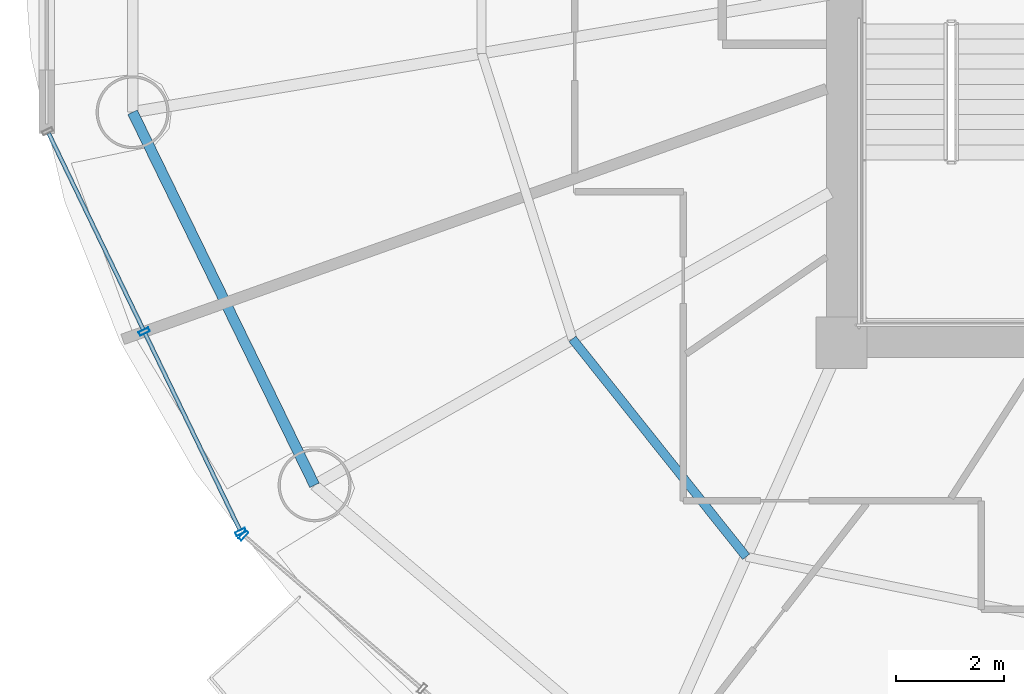
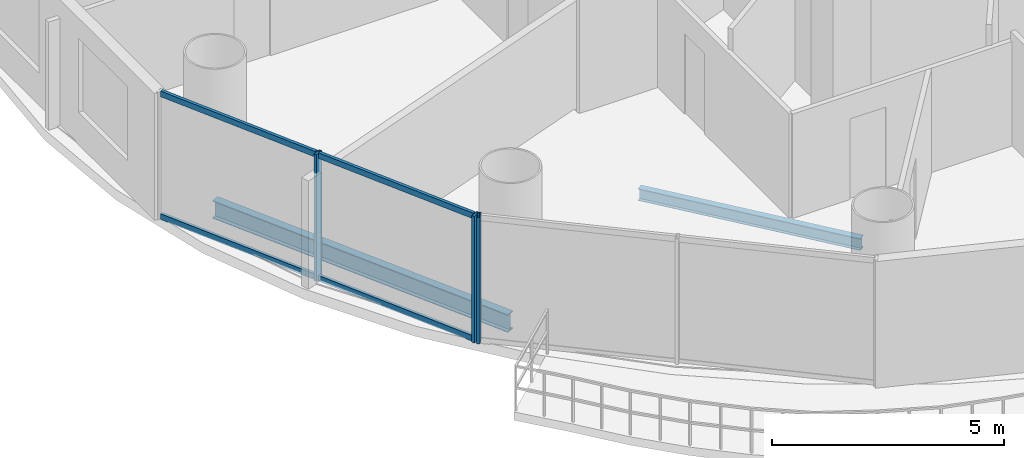
# One storey, part 3 of 27: 7 members, 2 beams, 2 elements without a shape of their own.
"""IFC4 building model written with IfcOpenShell, lengths in metres."""

from ifc_helpers import new_model, si_unit, direction, frame, origin, origin_2d, place, context, subcontext, project, spatial, hollow_rectangle, i_section, extrude, source, transform, mapped, material, material_profile, profile_set, type_object, element, aggregate, save


model = new_model("IFC4")

# Units and contexts
model_context = context("Model", 3, precision=1e-05, world=origin(), true_north=direction((-0.2419218956, 0.970295726276)))
body_context = subcontext(model_context, "Body", "Model", "MODEL_VIEW")
ifc_project = project(units=[si_unit("LENGTHUNIT", "METRE"), si_unit("AREAUNIT", "SQUARE_METRE"), si_unit("VOLUMEUNIT", "CUBIC_METRE"), si_unit("PLANEANGLEUNIT", "RADIAN"), si_unit("MASSUNIT", "GRAM", prefix="KILO")], contexts=[model_context])

# Site, building, storey
site_placement = place(None, origin())
site = spatial("IfcSite", under=ifc_project, at=site_placement, CompositionType="ELEMENT")
building_placement = place(site_placement, origin())
building = spatial("IfcBuilding", under=site, at=building_placement, Name="Cobrevalo Terracotta Tower", CompositionType="ELEMENT")
storey_placement = place(building_placement, frame((0.0, 0.0, 153.39990234375)))
storey = spatial("IfcBuildingStorey", under=building, at=storey_placement, Name="L40", CompositionType="ELEMENT", Elevation=153.39990234375)

# Beams
ifc_material_1 = material(Name="Steel S355", Category="steel")
ifc_material_profile_1 = material_profile(ifc_material_1, i_section(OverallWidth=0.1650390625, OverallDepth=0.31005859375, WebThickness=0.005859375, FlangeThickness=0.009765625, at=origin_2d()), Name="W 310x38.7")
ifc_profile_set_1 = profile_set([ifc_material_profile_1], Name="Steel S355")
beam_type_1 = type_object("IfcBeamType", Name="Structural Joist W 310x38.7 (Steel S355)", PredefinedType="JOIST", material=ifc_profile_set_1)
beam_1_placement = place(storey_placement, frame((24.022705078125, 18.868896484375, -0.4248046875), z_axis=(0.623382939397, -0.781916690492, 0.0), x_axis=(0.781916690492, 0.623382939397, 0.0)))
element("IfcBeam", 1, at=beam_1_placement, inside=storey, type_object=beam_type_1, Name="L40 circumferential secondary floor joist 10", PredefinedType="JOIST", context=body_context, shape_type="SweptSolid", body=[
    extrude(i_section(OverallWidth=0.1650390625, OverallDepth=0.31005859375, WebThickness=0.005859375, FlangeThickness=0.009765625, at=origin_2d()), origin(), (0.0, 0.0, 1.0), 5.154296875),
])
ifc_material_profile_2 = material_profile(ifc_material_1, i_section(OverallWidth=0.194091796875, OverallDepth=0.468994140625, WebThickness=0.011474609375, FlangeThickness=0.0205078125, at=origin_2d()), Name="W 460x106")
ifc_profile_set_2 = profile_set([ifc_material_profile_2], Name="Steel S355")
beam_type_2 = type_object("IfcBeamType", Name="Structural Spandrel W 460x106 (Steel S355)", PredefinedType="SPANDREL", material=ifc_profile_set_2)
beam_2_placement = place(storey_placement, frame((15.88330078125, 23.06396484375, -0.50439453125), z_axis=(0.438380418332, -0.898789524206, 0.0), x_axis=(0.898789524206, 0.438380418332, 0.0)))
element("IfcBeam", 2, at=beam_2_placement, inside=storey, type_object=beam_type_2, Name="L40 perimeter ring spandrel 09", PredefinedType="SPANDREL", context=body_context, shape_type="SweptSolid", body=[
    extrude(i_section(OverallWidth=0.194091796875, OverallDepth=0.468994140625, WebThickness=0.011474609375, FlangeThickness=0.0205078125, at=origin_2d()), origin(), (0.0, 0.0, 1.0), 7.680419921875),
])

# Curtain wall, members
ifc_material_2 = material(Name="Anodized aluminium", Category="aluminium")
curtain_wall_type = type_object("IfcCurtainWallType", Name="Mid-tower high-wind unitised curtain wall CW-U2", PredefinedType="NOTDEFINED", material=ifc_material_2)
curtain_wall_1_placement = place(storey_placement, origin())
curtain_wall_1 = element("IfcCurtainWall", 3, at=curtain_wall_1_placement, inside=storey, type_object=curtain_wall_type, Name="L40 curtain wall CW-L40-S09", PredefinedType="NOTDEFINED")
ifc_material_profile_3 = material_profile(ifc_material_2, hollow_rectangle(XDim=0.074951171875, YDim=0.199951171875, WallThickness=0.0048828125, at=origin_2d()), Name="CWM 75x200")
ifc_profile_set_3 = profile_set([ifc_material_profile_3], Name="Anodized aluminium")
member_type_1 = type_object("IfcMemberType", Name="Lower/mid tower unitised mullion 75x200", PredefinedType="MULLION", material=ifc_profile_set_3)
shared_shape_1 = source(origin(), body_context, "Body", "SweptSolid", [
    extrude(hollow_rectangle(XDim=0.074951171875, YDim=0.199951171875, WallThickness=0.0048828125, at=origin_2d()), origin(), (0.0, 0.0, 1.0), 3.330078125),
])
member_1_placement = place(storey_placement, frame((16.098876953125, 19.00439453125, 0.0), z_axis=(0.0, 0.0, 1.0), x_axis=(0.434209440271, -0.900811945957, 0.0)))
member_1 = element("IfcMember", 4, at=member_1_placement, type_object=member_type_1, Name="CW-L40-S09 vertical mullion 02", PredefinedType="MULLION", context=body_context, shape_type="MappedRepresentation", body=[
    mapped(shared_shape_1, transform((0.0, 0.0, 0.0), scale=1.0)),
])
member_2_placement = place(storey_placement, frame((17.885986328125, 15.296875, 0.0), z_axis=(0.0, 0.0, 1.0), x_axis=(0.434209440271, -0.900811945957, 0.0)))
member_2 = element("IfcMember", 5, at=member_2_placement, type_object=member_type_1, Name="CW-L40-S09 vertical mullion 03", PredefinedType="MULLION", context=body_context, shape_type="MappedRepresentation", body=[
    mapped(shared_shape_1, transform((0.0, 0.0, 0.0), scale=1.0)),
])

# Curtain wall, member
curtain_wall_2_placement = place(storey_placement, origin())
curtain_wall_2 = element("IfcCurtainWall", 6, at=curtain_wall_2_placement, inside=storey, type_object=curtain_wall_type, Name="L40 curtain wall CW-L40-S10", PredefinedType="NOTDEFINED")
member_3_placement = place(storey_placement, frame((17.933837890625, 15.234619140625, 0.0), z_axis=(0.0, 0.0, 1.0), x_axis=(0.758441546142, -0.65174106905, 0.0)))
member_3 = element("IfcMember", 7, at=member_3_placement, type_object=member_type_1, Name="CW-L40-S10 vertical mullion 01", PredefinedType="MULLION", context=body_context, shape_type="MappedRepresentation", body=[
    mapped(shared_shape_1, transform((0.0, 0.0, 0.0), scale=1.0)),
])
aggregate(curtain_wall_2, [member_3])

# Member
ifc_material_profile_4 = material_profile(ifc_material_2, hollow_rectangle(XDim=0.074951171875, YDim=0.14990234375, WallThickness=0.00439453125, at=origin_2d()), Name="CWT 75x150")
ifc_profile_set_4 = profile_set([ifc_material_profile_4], Name="Anodized aluminium")
member_type_2 = type_object("IfcMemberType", Name="Tower unitised aluminium transom 75x150", PredefinedType="USERDEFINED", material=ifc_profile_set_4)
shared_shape_2 = source(origin(), body_context, "Body", "SweptSolid", [
    extrude(hollow_rectangle(XDim=0.074951171875, YDim=0.14990234375, WallThickness=0.00439453125, at=origin_2d()), origin(), (0.0, 0.0, 1.0), 4.035888671875),
])
member_4_placement = place(storey_placement, frame((14.3291015625, 22.676025390625, 0.050048828125), z_axis=(0.434221176581, -0.900806288726, 0.0), x_axis=(0.900806288726, 0.434221176581, 0.0)))
member_4 = element("IfcMember", 8, at=member_4_placement, type_object=member_type_2, Name="CW-L40-S09 transom B01-T1", ObjectType="TRANSOM", PredefinedType="USERDEFINED", context=body_context, shape_type="MappedRepresentation", body=[
    mapped(shared_shape_2, transform((0.0, 0.0, 0.0), scale=1.0)),
])

member_5_placement = place(storey_placement, frame((14.3291015625, 22.676025390625, 3.280029296875), z_axis=(0.434221176581, -0.900806288726, 0.0), x_axis=(0.900806288726, 0.434221176581, 0.0)))
member_5 = element("IfcMember", 9, at=member_5_placement, type_object=member_type_2, Name="CW-L40-S09 transom B01-T2", ObjectType="TRANSOM", PredefinedType="USERDEFINED", context=body_context, shape_type="MappedRepresentation", body=[
    mapped(shared_shape_2, transform((0.0, 0.0, 0.0), scale=1.0)),
])

member_6_placement = place(storey_placement, frame((16.1162109375, 18.96826171875, 0.050048828125), z_axis=(0.434221176581, -0.900806288726, 0.0), x_axis=(0.900806288726, 0.434221176581, 0.0)))
member_6 = element("IfcMember", 10, at=member_6_placement, type_object=member_type_2, Name="CW-L40-S09 transom B02-T1", ObjectType="TRANSOM", PredefinedType="USERDEFINED", context=body_context, shape_type="MappedRepresentation", body=[
    mapped(shared_shape_2, transform((0.0, 0.0, 0.0), scale=1.0)),
])

member_7_placement = place(storey_placement, frame((16.1162109375, 18.96826171875, 3.280029296875), z_axis=(0.434221176581, -0.900806288726, 0.0), x_axis=(0.900806288726, 0.434221176581, 0.0)))
member_7 = element("IfcMember", 11, at=member_7_placement, type_object=member_type_2, Name="CW-L40-S09 transom B02-T2", ObjectType="TRANSOM", PredefinedType="USERDEFINED", context=body_context, shape_type="MappedRepresentation", body=[
    mapped(shared_shape_2, transform((0.0, 0.0, 0.0), scale=1.0)),
])

aggregate(curtain_wall_1, [member_1, member_2, member_4, member_5, member_6, member_7])

save(model, "model.ifc")
